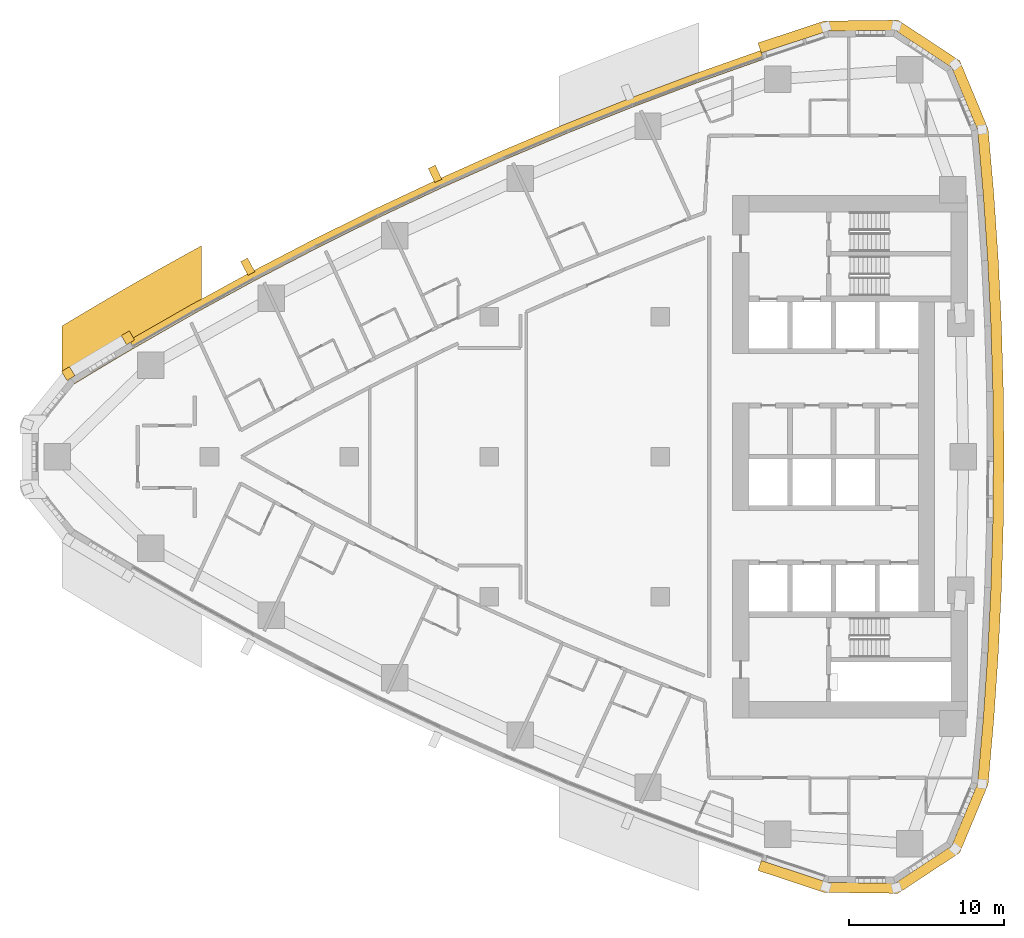
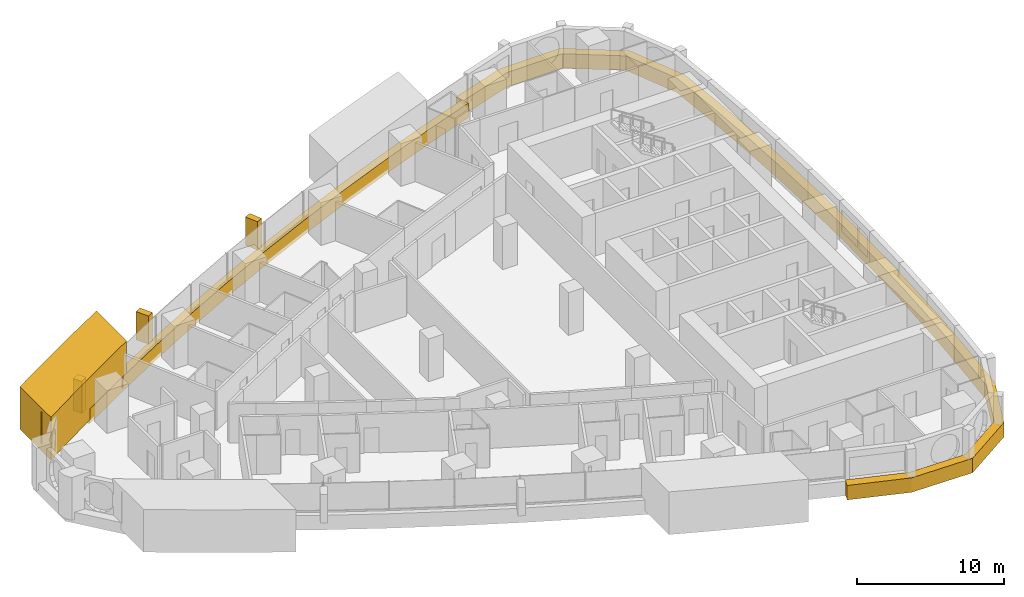
# One storey, part 16 of 17: 7 coverings.
"""IFC4 building model written with IfcOpenShell, lengths in metres."""

from ifc_helpers import new_model, si_unit, direction, frame, frame_2d, origin, place, context, subcontext, project, spatial, polyline, rectangle, outline, extrude, material, layer, layer_set, type_object, element, save


model = new_model("IFC4")

# Units and contexts
model_context = context("Model", 3, precision=1e-05, world=origin(), true_north=direction((0.0, 1.0)))
body_context = subcontext(model_context, "Body", "Model", "MODEL_VIEW")
ifc_project = project(units=[si_unit("LENGTHUNIT", "METRE"), si_unit("AREAUNIT", "SQUARE_METRE"), si_unit("VOLUMEUNIT", "CUBIC_METRE"), si_unit("PLANEANGLEUNIT", "RADIAN"), si_unit("MASSUNIT", "GRAM", prefix="KILO")], contexts=[model_context])

# Site, building, storey
site_placement = place(None, origin())
site = spatial("IfcSite", under=ifc_project, at=site_placement, CompositionType="ELEMENT")
building_placement = place(site_placement, origin())
building = spatial("IfcBuilding", under=site, at=building_placement, Name="Ostrand Prow Hotel Tower", CompositionType="ELEMENT")
storey_placement = place(building_placement, frame((0.0, 0.0, 113.300048828125)))
storey = spatial("IfcBuildingStorey", under=building, at=storey_placement, Name="L27", CompositionType="ELEMENT", Elevation=113.300048828125)

# Coverings
ifc_material_1 = material(Name="Bronze anodised aluminium cladding", Category="aluminium")
ifc_layer_1 = layer(ifc_material_1, 0.60009765625)
ifc_layer_set_1 = layer_set([ifc_layer_1], Name="Bronze anodised aluminium cladding")
covering_type_1 = type_object("IfcCoveringType", Name="Bronze spandrel band 1200x600", PredefinedType="CLADDING", material=ifc_layer_set_1)
covering_1_placement = place(storey_placement, frame((0.0, 0.0, -0.300048828125)))
element("IfcCovering", 1, at=covering_1_placement, inside=storey, type_object=covering_type_1, Name="Spandrel band N1", PredefinedType="CLADDING", context=body_context, shape_type="SweptSolid", body=[
    extrude(outline(polyline([(51.4501953125, 26.1328125), (47.231201171875, 24.64013671875), (43.042724609375, 23.0634765625), (38.88671875, 21.4033203125), (34.764892578125, 19.659912109375), (30.6787109375, 17.834716796875), (26.6298828125, 15.927734375), (22.620361328125, 13.940185546875), (18.651123046875, 11.872802734375), (14.72412109375, 9.726318359375), (10.841064453125, 7.50146484375), (11.144287109375, 6.98388671875), (15.01708984375, 9.20263671875), (18.93359375, 11.343505859375), (22.89208984375, 13.4052734375), (26.89111328125, 15.3876953125), (30.928955078125, 17.289306640625), (35.004150390625, 19.10986328125), (39.114990234375, 20.848388671875), (43.259765625, 22.504150390625), (47.43701171875, 24.076416015625), (51.644775390625, 25.56494140625), (51.4501953125, 26.1328125)])), origin(), (0.0, 0.0, 1.0), 1.199951171875),
])
covering_2_placement = place(storey_placement, frame((0.0, 0.0, -0.300048828125)))
element("IfcCovering", 2, at=covering_2_placement, inside=storey, type_object=covering_type_1, Name="Spandrel band back 1", PredefinedType="CLADDING", context=body_context, shape_type="SweptSolid", body=[
    extrude(outline(polyline([(51.28369140625, -26.619384765625), (55.54150390625, -28.0302734375), (60.2958984375, -28.09033203125), (64.267578125, -25.476806640625), (66.09326171875, -21.086669921875), (66.460693359375, -16.87890625), (66.74658203125, -12.664794921875), (66.950927734375, -8.44580078125), (67.073486328125, -4.2236328125), (67.114501953125, 0.0), (67.073486328125, 4.2236328125), (66.950927734375, 8.44580078125), (66.74658203125, 12.664794921875), (66.460693359375, 16.87890625), (66.09326171875, 21.086669921875), (64.267578125, 25.476806640625), (60.2958984375, 28.09033203125), (55.54150390625, 28.0302734375), (51.28369140625, 26.619384765625), (51.50390625, 25.97607421875), (55.7490234375, 27.3828125), (60.104736328125, 27.437744140625), (63.74365234375, 25.043212890625), (65.41650390625, 21.02099609375), (65.78271484375, 16.826416015625), (66.067626953125, 12.625244140625), (66.271484375, 8.41943359375), (66.393798828125, 4.21044921875), (66.434326171875, 0.0), (66.393798828125, -4.21044921875), (66.271484375, -8.41943359375), (66.067626953125, -12.625244140625), (65.78271484375, -16.826416015625), (65.41650390625, -21.02099609375), (63.74365234375, -25.043212890625), (60.104736328125, -27.437744140625), (55.7490234375, -27.3828125), (51.50390625, -25.97607421875), (51.28369140625, -26.619384765625)])), origin(), (0.0, 0.0, 1.0), 1.199951171875),
])
ifc_material_2 = material(Name="Limestone cladding", Category="masonry")
ifc_layer_2 = layer(ifc_material_2, 5.0)
ifc_layer_set_2 = layer_set([ifc_layer_2], Name="Limestone cladding")
covering_type_2 = type_object("IfcCoveringType", Name="Portal jamb pilaster limestone", PredefinedType="CLADDING", material=ifc_layer_set_2)
covering_3_placement = place(storey_placement, origin())
element("IfcCovering", 3, at=covering_3_placement, inside=storey, type_object=covering_type_2, Name="Portal jamb NA L27", PredefinedType="CLADDING", context=body_context, shape_type="SweptSolid", body=[
    extrude(outline(polyline([(6.5, 4.184326171875), (7.5, 4.80029296875), (8.5, 5.40869140625), (9.5, 6.01025390625), (10.5, 6.6044921875), (11.5, 7.19189453125), (12.5, 7.772216796875), (13.5, 8.345703125), (14.5, 8.912353515625), (15.5, 9.47216796875), (15.5, 13.581787109375), (14.5, 13.03369140625), (13.5, 12.478759765625), (12.5, 11.91748046875), (11.5, 11.349365234375), (10.5, 10.7744140625), (9.5, 10.19287109375), (8.5, 9.604248046875), (7.5, 9.0087890625), (6.5, 8.40625), (6.5, 4.184326171875)])), origin(), (0.0, 0.0, 1.0), 3.550048828125),
])
ifc_material_3 = material(Name="Limestone cladding", Category="masonry")
ifc_layer_3 = layer(ifc_material_3, 0.5)
ifc_layer_set_3 = layer_set([ifc_layer_3], Name="Limestone cladding")
covering_type_3 = type_object("IfcCoveringType", Name="Precast stone fin 500x900", PredefinedType="CLADDING", material=ifc_layer_set_3)
for number, where, z_axis, x_axis, name in (
    (4, (30.720458984375, 17.74365234375, 0.89990234375), (0.0, 0.0, 1.0), (-0.416982531796, 0.908914499927, 0.0), "Stone fin N 6"),
    (5, (18.6982421875, 11.78466796875, 0.89990234375), (0.0, 0.0, 1.0), (-0.470981038243, 0.882143333941, 0.0), "Stone fin N 9"),
):
    element("IfcCovering", number, at=place(storey_placement, frame(where, z_axis=z_axis, x_axis=x_axis)), inside=storey, type_object=covering_type_3, Name=name, PredefinedType="CLADDING", context=body_context, shape_type="SweptSolid", body=[
        extrude(rectangle(XDim=1.0, YDim=0.5, at=frame_2d((0.5, 0.0))), origin(), (0.0, 0.0, 1.0), 2.35009765625),
    ])
ifc_material_4 = material(Name="Limestone cladding", Category="masonry")
ifc_layer_4 = layer(ifc_material_4, 0.60009765625)
ifc_layer_set_4 = layer_set([ifc_layer_4], Name="Limestone cladding")
covering_type_4 = type_object("IfcCoveringType", Name="Precast stone prow rib 600x600", PredefinedType="CLADDING", material=ifc_layer_set_4)
covering_4_placement = place(storey_placement, frame((10.9248046875, 7.358642578125, 0.599853515625), z_axis=(0.0, 0.0, 1.0), x_axis=(-0.505811626043, 0.862643958397, 0.0)))
element("IfcCovering", 6, at=covering_4_placement, inside=storey, type_object=covering_type_4, Name="Stone prow rib 1", PredefinedType="CLADDING", context=body_context, shape_type="SweptSolid", body=[
    extrude(rectangle(XDim=0.68017578125, YDim=0.60009765625, at=frame_2d((0.340087890625, 0.0))), origin(), (0.0, 0.0, 1.0), 2.650146484375),
])
covering_5_placement = place(storey_placement, frame((7.089599609375, 5.058349609375, 0.599853515625), z_axis=(0.0, 0.0, 1.0), x_axis=(-0.522814637618, 0.852446394029, 0.0)))
element("IfcCovering", 7, at=covering_5_placement, inside=storey, type_object=covering_type_4, Name="Stone prow rib 2", PredefinedType="CLADDING", context=body_context, shape_type="SweptSolid", body=[
    extrude(rectangle(XDim=0.679931640625, YDim=0.60009765625, at=frame_2d((0.33984375, 0.0))), origin(), (0.0, 0.0, 1.0), 2.650146484375),
])

save(model, "model.ifc")
